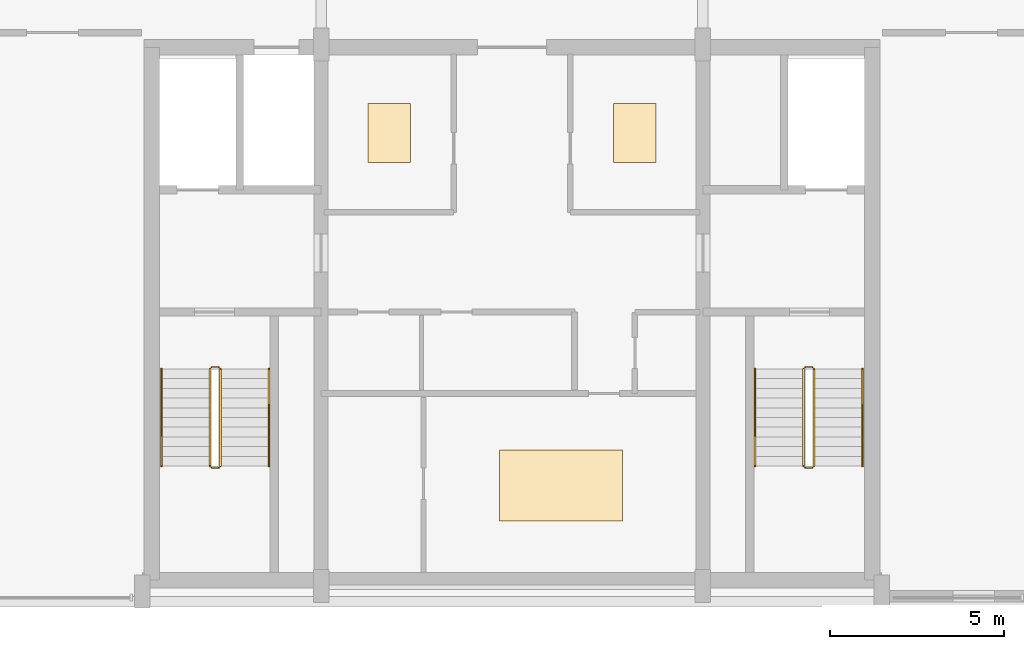
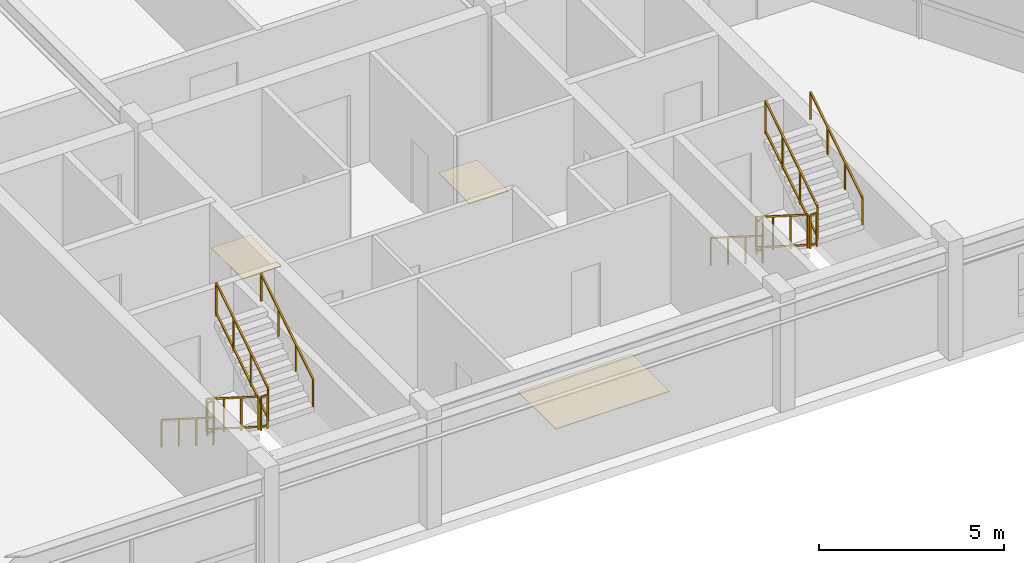
# One storey, part 12 of 12: 12 railings, 3 coverings.
"""IFC4 building model written with IfcOpenShell, lengths in metres."""

from ifc_helpers import new_model, si_unit, direction, frame, origin, origin_2d, place, context, subcontext, project, spatial, rectangle, extrude, source, transform, mapped, material, layer, layer_set, type_object, element, save


model = new_model("IFC4")

# Units and contexts
model_context = context("Model", 3, precision=1e-05, world=origin(), true_north=direction((0.0, 1.0)))
body_context = subcontext(model_context, "Body", "Model", "MODEL_VIEW")
ifc_project = project(units=[si_unit("LENGTHUNIT", "METRE"), si_unit("AREAUNIT", "SQUARE_METRE"), si_unit("VOLUMEUNIT", "CUBIC_METRE"), si_unit("PLANEANGLEUNIT", "RADIAN"), si_unit("MASSUNIT", "GRAM", prefix="KILO")], contexts=[model_context])

# Site, building, storey
site_placement = place(None, origin())
site = spatial("IfcSite", under=ifc_project, at=site_placement, CompositionType="ELEMENT")
building_placement = place(site_placement, origin())
building = spatial("IfcBuilding", under=site, at=building_placement, Name="Varnakhor Terracotta Tower", CompositionType="ELEMENT")
storey_placement = place(building_placement, frame((0.0, 0.0, 321.39990234375)))
storey = spatial("IfcBuildingStorey", under=building, at=storey_placement, Name="L84 Crown", CompositionType="ELEMENT", Elevation=321.39990234375)

# Railings
ifc_material_1 = material(Name="Painted Steel Stairwell Guardrail", Category="steel")
railing_type_1 = type_object("IfcRailingType", Name="RLG-STAIR-GUARD-1120", PredefinedType="GUARDRAIL", material=ifc_material_1)
railing_1_placement = place(storey_placement, frame((-8.699951171875, 6.7099609375, 0.177490234375)))
element("IfcRailing", 1, at=railing_1_placement, inside=storey, type_object=railing_type_1, Name="L84 Crown ST-1 stair guard 1", PredefinedType="GUARDRAIL", context=body_context, shape_type="SweptSolid", body=[
    extrude(rectangle(XDim=0.048095703125, YDim=0.048095703125, at=origin_2d()), frame((0.0, 0.0, 1.09619140625), z_axis=(0.0, -0.844908973607, 0.534910110503), x_axis=(1.0, 0.0, 0.0)), (0.0, 0.0, 1.0), 3.31396484375),
    extrude(rectangle(XDim=0.048095703125, YDim=0.048095703125, at=origin_2d()), frame((0.0, 0.0, 0.10009765625), z_axis=(0.0, -0.844908973607, 0.534910110503), x_axis=(1.0, 0.0, 0.0)), (0.0, 0.0, 1.0), 3.31396484375),
    extrude(rectangle(XDim=0.0419921875, YDim=0.0419921875, at=origin_2d()), origin(), (0.0, 0.0, 1.0), 1.072021484375),
    extrude(rectangle(XDim=0.0419921875, YDim=0.0419921875, at=origin_2d()), frame((0.0, -0.933349609375, 0.5908203125)), (0.0, 0.0, 1.0), 1.072021484375),
    extrude(rectangle(XDim=0.0419921875, YDim=0.0419921875, at=origin_2d()), frame((0.0, -1.86669921875, 1.181884765625)), (0.0, 0.0, 1.0), 1.072021484375),
    extrude(rectangle(XDim=0.0419921875, YDim=0.0419921875, at=origin_2d()), frame((0.0, -2.800048828125, 1.772705078125)), (0.0, 0.0, 1.0), 1.072021484375),
])
railing_2_placement = place(storey_placement, frame((-8.64990234375, 3.860107421875, 1.9501953125)))
element("IfcRailing", 2, at=railing_2_placement, inside=storey, type_object=railing_type_1, Name="L84 Crown ST-1 stair guard 2", PredefinedType="GUARDRAIL", context=body_context, shape_type="SweptSolid", body=[
    extrude(rectangle(XDim=0.048095703125, YDim=0.048095703125, at=origin_2d()), frame((0.0, 0.0, 1.09619140625), z_axis=(1.0, 0.0, 0.0), x_axis=(0.0, 1.0, 0.0)), (0.0, 0.0, 1.0), 0.199951171875),
    extrude(rectangle(XDim=0.048095703125, YDim=0.048095703125, at=origin_2d()), frame((0.0, 0.0, 0.10009765625), z_axis=(1.0, 0.0, 0.0), x_axis=(0.0, 1.0, 0.0)), (0.0, 0.0, 1.0), 0.199951171875),
    extrude(rectangle(XDim=0.0419921875, YDim=0.0419921875, at=origin_2d()), origin(), (0.0, 0.0, 1.0), 1.072021484375),
    extrude(rectangle(XDim=0.0419921875, YDim=0.0419921875, at=origin_2d()), frame((0.199951171875, 0.0, 0.0)), (0.0, 0.0, 1.0), 1.072021484375),
])
railing_3_placement = place(storey_placement, frame((-8.39990234375, 3.909912109375, 2.12744140625)))
element("IfcRailing", 3, at=railing_3_placement, inside=storey, type_object=railing_type_1, Name="L84 Crown ST-1 stair guard 3", PredefinedType="GUARDRAIL", context=body_context, shape_type="SweptSolid", body=[
    extrude(rectangle(XDim=0.048095703125, YDim=0.048095703125, at=origin_2d()), frame((0.0, 0.0, 1.09619140625), z_axis=(0.0, 0.844908973607, 0.534910110503), x_axis=(-1.0, 0.0, 0.0)), (0.0, 0.0, 1.0), 3.31396484375),
    extrude(rectangle(XDim=0.048095703125, YDim=0.048095703125, at=origin_2d()), frame((0.0, 0.0, 0.10009765625), z_axis=(0.0, 0.844908973607, 0.534910110503), x_axis=(-1.0, 0.0, 0.0)), (0.0, 0.0, 1.0), 3.31396484375),
    extrude(rectangle(XDim=0.0419921875, YDim=0.0419921875, at=origin_2d()), origin(), (0.0, 0.0, 1.0), 1.072021484375),
    extrude(rectangle(XDim=0.0419921875, YDim=0.0419921875, at=origin_2d()), frame((0.0, 0.933349609375, 0.5908203125)), (0.0, 0.0, 1.0), 1.072021484375),
    extrude(rectangle(XDim=0.0419921875, YDim=0.0419921875, at=origin_2d()), frame((0.0, 1.86669921875, 1.181884765625)), (0.0, 0.0, 1.0), 1.072021484375),
    extrude(rectangle(XDim=0.0419921875, YDim=0.0419921875, at=origin_2d()), frame((0.0, 2.800048828125, 1.772705078125)), (0.0, 0.0, 1.0), 1.072021484375),
])
railing_4_placement = place(storey_placement, frame((-8.64990234375, 6.760009765625, 0.0)))
element("IfcRailing", 4, at=railing_4_placement, inside=storey, type_object=railing_type_1, Name="L84 Crown ST-1 stair guard 4", PredefinedType="GUARDRAIL", context=body_context, shape_type="SweptSolid", body=[
    extrude(rectangle(XDim=0.048095703125, YDim=0.048095703125, at=origin_2d()), frame((0.0, 0.0, 1.09619140625), z_axis=(1.0, 0.0, 0.0), x_axis=(0.0, 1.0, 0.0)), (0.0, 0.0, 1.0), 0.199951171875),
    extrude(rectangle(XDim=0.048095703125, YDim=0.048095703125, at=origin_2d()), frame((0.0, 0.0, 0.10009765625), z_axis=(1.0, 0.0, 0.0), x_axis=(0.0, 1.0, 0.0)), (0.0, 0.0, 1.0), 0.199951171875),
    extrude(rectangle(XDim=0.0419921875, YDim=0.0419921875, at=origin_2d()), origin(), (0.0, 0.0, 1.0), 1.072021484375),
    extrude(rectangle(XDim=0.0419921875, YDim=0.0419921875, at=origin_2d()), frame((0.199951171875, 0.0, 0.0)), (0.0, 0.0, 1.0), 1.072021484375),
])
railing_5_placement = place(storey_placement, frame((8.39990234375, 6.7099609375, 0.177490234375)))
element("IfcRailing", 5, at=railing_5_placement, inside=storey, type_object=railing_type_1, Name="L84 Crown ST-2 stair guard 1", PredefinedType="GUARDRAIL", context=body_context, shape_type="SweptSolid", body=[
    extrude(rectangle(XDim=0.048095703125, YDim=0.048095703125, at=origin_2d()), frame((0.0, 0.0, 1.09619140625), z_axis=(0.0, -0.844908973607, 0.534910110503), x_axis=(1.0, 0.0, 0.0)), (0.0, 0.0, 1.0), 3.31396484375),
    extrude(rectangle(XDim=0.048095703125, YDim=0.048095703125, at=origin_2d()), frame((0.0, 0.0, 0.10009765625), z_axis=(0.0, -0.844908973607, 0.534910110503), x_axis=(1.0, 0.0, 0.0)), (0.0, 0.0, 1.0), 3.31396484375),
    extrude(rectangle(XDim=0.0419921875, YDim=0.0419921875, at=origin_2d()), origin(), (0.0, 0.0, 1.0), 1.072021484375),
    extrude(rectangle(XDim=0.0419921875, YDim=0.0419921875, at=origin_2d()), frame((0.0, -0.933349609375, 0.5908203125)), (0.0, 0.0, 1.0), 1.072021484375),
    extrude(rectangle(XDim=0.0419921875, YDim=0.0419921875, at=origin_2d()), frame((0.0, -1.86669921875, 1.181884765625)), (0.0, 0.0, 1.0), 1.072021484375),
    extrude(rectangle(XDim=0.0419921875, YDim=0.0419921875, at=origin_2d()), frame((0.0, -2.800048828125, 1.772705078125)), (0.0, 0.0, 1.0), 1.072021484375),
])
railing_6_placement = place(storey_placement, frame((8.449951171875, 3.860107421875, 1.9501953125)))
element("IfcRailing", 6, at=railing_6_placement, inside=storey, type_object=railing_type_1, Name="L84 Crown ST-2 stair guard 2", PredefinedType="GUARDRAIL", context=body_context, shape_type="SweptSolid", body=[
    extrude(rectangle(XDim=0.048095703125, YDim=0.048095703125, at=origin_2d()), frame((0.0, 0.0, 1.09619140625), z_axis=(1.0, 0.0, 0.0), x_axis=(0.0, 1.0, 0.0)), (0.0, 0.0, 1.0), 0.199951171875),
    extrude(rectangle(XDim=0.048095703125, YDim=0.048095703125, at=origin_2d()), frame((0.0, 0.0, 0.10009765625), z_axis=(1.0, 0.0, 0.0), x_axis=(0.0, 1.0, 0.0)), (0.0, 0.0, 1.0), 0.199951171875),
    extrude(rectangle(XDim=0.0419921875, YDim=0.0419921875, at=origin_2d()), origin(), (0.0, 0.0, 1.0), 1.072021484375),
    extrude(rectangle(XDim=0.0419921875, YDim=0.0419921875, at=origin_2d()), frame((0.199951171875, 0.0, 0.0)), (0.0, 0.0, 1.0), 1.072021484375),
])
railing_7_placement = place(storey_placement, frame((8.699951171875, 3.909912109375, 2.12744140625)))
element("IfcRailing", 7, at=railing_7_placement, inside=storey, type_object=railing_type_1, Name="L84 Crown ST-2 stair guard 3", PredefinedType="GUARDRAIL", context=body_context, shape_type="SweptSolid", body=[
    extrude(rectangle(XDim=0.048095703125, YDim=0.048095703125, at=origin_2d()), frame((0.0, 0.0, 1.09619140625), z_axis=(0.0, 0.844908973607, 0.534910110503), x_axis=(-1.0, 0.0, 0.0)), (0.0, 0.0, 1.0), 3.31396484375),
    extrude(rectangle(XDim=0.048095703125, YDim=0.048095703125, at=origin_2d()), frame((0.0, 0.0, 0.10009765625), z_axis=(0.0, 0.844908973607, 0.534910110503), x_axis=(-1.0, 0.0, 0.0)), (0.0, 0.0, 1.0), 3.31396484375),
    extrude(rectangle(XDim=0.0419921875, YDim=0.0419921875, at=origin_2d()), origin(), (0.0, 0.0, 1.0), 1.072021484375),
    extrude(rectangle(XDim=0.0419921875, YDim=0.0419921875, at=origin_2d()), frame((0.0, 0.933349609375, 0.5908203125)), (0.0, 0.0, 1.0), 1.072021484375),
    extrude(rectangle(XDim=0.0419921875, YDim=0.0419921875, at=origin_2d()), frame((0.0, 1.86669921875, 1.181884765625)), (0.0, 0.0, 1.0), 1.072021484375),
    extrude(rectangle(XDim=0.0419921875, YDim=0.0419921875, at=origin_2d()), frame((0.0, 2.800048828125, 1.772705078125)), (0.0, 0.0, 1.0), 1.072021484375),
])
railing_8_placement = place(storey_placement, frame((8.449951171875, 6.760009765625, 0.0)))
element("IfcRailing", 8, at=railing_8_placement, inside=storey, type_object=railing_type_1, Name="L84 Crown ST-2 stair guard 4", PredefinedType="GUARDRAIL", context=body_context, shape_type="SweptSolid", body=[
    extrude(rectangle(XDim=0.048095703125, YDim=0.048095703125, at=origin_2d()), frame((0.0, 0.0, 1.09619140625), z_axis=(1.0, 0.0, 0.0), x_axis=(0.0, 1.0, 0.0)), (0.0, 0.0, 1.0), 0.199951171875),
    extrude(rectangle(XDim=0.048095703125, YDim=0.048095703125, at=origin_2d()), frame((0.0, 0.0, 0.10009765625), z_axis=(1.0, 0.0, 0.0), x_axis=(0.0, 1.0, 0.0)), (0.0, 0.0, 1.0), 0.199951171875),
    extrude(rectangle(XDim=0.0419921875, YDim=0.0419921875, at=origin_2d()), origin(), (0.0, 0.0, 1.0), 1.072021484375),
    extrude(rectangle(XDim=0.0419921875, YDim=0.0419921875, at=origin_2d()), frame((0.199951171875, 0.0, 0.0)), (0.0, 0.0, 1.0), 1.072021484375),
])
ifc_material_2 = material(Name="Brushed Stainless Steel Handrail", Category="steel")
railing_type_2 = type_object("IfcRailingType", Name="RLG-STAIR-HANDRAIL-920", PredefinedType="HANDRAIL", material=ifc_material_2)
railing_9_placement = place(storey_placement, frame((-10.10009765625, 6.7099609375, 0.177490234375)))
element("IfcRailing", 9, at=railing_9_placement, inside=storey, type_object=railing_type_2, Name="L84 Crown ST-1 stair handrail 1", PredefinedType="HANDRAIL", context=body_context, shape_type="SweptSolid", body=[
    extrude(rectangle(XDim=0.048095703125, YDim=0.048095703125, at=origin_2d()), frame((0.0, 0.0, 0.89599609375), z_axis=(0.0, -0.844908973607, 0.534910110503), x_axis=(1.0, 0.0, 0.0)), (0.0, 0.0, 1.0), 3.31396484375),
    extrude(rectangle(XDim=0.0419921875, YDim=0.0419921875, at=origin_2d()), origin(), (0.0, 0.0, 1.0), 0.871826171875),
    extrude(rectangle(XDim=0.0419921875, YDim=0.0419921875, at=origin_2d()), frame((0.0, -0.933349609375, 0.5908203125)), (0.0, 0.0, 1.0), 0.871826171875),
    extrude(rectangle(XDim=0.0419921875, YDim=0.0419921875, at=origin_2d()), frame((0.0, -1.86669921875, 1.181884765625)), (0.0, 0.0, 1.0), 0.871826171875),
    extrude(rectangle(XDim=0.0419921875, YDim=0.0419921875, at=origin_2d()), frame((0.0, -2.800048828125, 1.772705078125)), (0.0, 0.0, 1.0), 0.871826171875),
])
railing_10_placement = place(storey_placement, frame((-7.0, 3.909912109375, 2.12744140625)))
element("IfcRailing", 10, at=railing_10_placement, inside=storey, type_object=railing_type_2, Name="L84 Crown ST-1 stair handrail 2", PredefinedType="HANDRAIL", context=body_context, shape_type="SweptSolid", body=[
    extrude(rectangle(XDim=0.048095703125, YDim=0.048095703125, at=origin_2d()), frame((0.0, 0.0, 0.89599609375), z_axis=(0.0, 0.844908973607, 0.534910110503), x_axis=(-1.0, 0.0, 0.0)), (0.0, 0.0, 1.0), 3.31396484375),
    extrude(rectangle(XDim=0.0419921875, YDim=0.0419921875, at=origin_2d()), origin(), (0.0, 0.0, 1.0), 0.871826171875),
    extrude(rectangle(XDim=0.0419921875, YDim=0.0419921875, at=origin_2d()), frame((0.0, 0.933349609375, 0.5908203125)), (0.0, 0.0, 1.0), 0.871826171875),
    extrude(rectangle(XDim=0.0419921875, YDim=0.0419921875, at=origin_2d()), frame((0.0, 1.86669921875, 1.181884765625)), (0.0, 0.0, 1.0), 0.871826171875),
    extrude(rectangle(XDim=0.0419921875, YDim=0.0419921875, at=origin_2d()), frame((0.0, 2.800048828125, 1.772705078125)), (0.0, 0.0, 1.0), 0.871826171875),
])
railing_11_placement = place(storey_placement, frame((7.0, 6.7099609375, 0.177490234375)))
element("IfcRailing", 11, at=railing_11_placement, inside=storey, type_object=railing_type_2, Name="L84 Crown ST-2 stair handrail 1", PredefinedType="HANDRAIL", context=body_context, shape_type="SweptSolid", body=[
    extrude(rectangle(XDim=0.048095703125, YDim=0.048095703125, at=origin_2d()), frame((0.0, 0.0, 0.89599609375), z_axis=(0.0, -0.844908973607, 0.534910110503), x_axis=(1.0, 0.0, 0.0)), (0.0, 0.0, 1.0), 3.31396484375),
    extrude(rectangle(XDim=0.0419921875, YDim=0.0419921875, at=origin_2d()), origin(), (0.0, 0.0, 1.0), 0.871826171875),
    extrude(rectangle(XDim=0.0419921875, YDim=0.0419921875, at=origin_2d()), frame((0.0, -0.933349609375, 0.5908203125)), (0.0, 0.0, 1.0), 0.871826171875),
    extrude(rectangle(XDim=0.0419921875, YDim=0.0419921875, at=origin_2d()), frame((0.0, -1.86669921875, 1.181884765625)), (0.0, 0.0, 1.0), 0.871826171875),
    extrude(rectangle(XDim=0.0419921875, YDim=0.0419921875, at=origin_2d()), frame((0.0, -2.800048828125, 1.772705078125)), (0.0, 0.0, 1.0), 0.871826171875),
])
railing_12_placement = place(storey_placement, frame((10.10009765625, 3.909912109375, 2.12744140625)))
element("IfcRailing", 12, at=railing_12_placement, inside=storey, type_object=railing_type_2, Name="L84 Crown ST-2 stair handrail 2", PredefinedType="HANDRAIL", context=body_context, shape_type="SweptSolid", body=[
    extrude(rectangle(XDim=0.048095703125, YDim=0.048095703125, at=origin_2d()), frame((0.0, 0.0, 0.89599609375), z_axis=(0.0, 0.844908973607, 0.534910110503), x_axis=(-1.0, 0.0, 0.0)), (0.0, 0.0, 1.0), 3.31396484375),
    extrude(rectangle(XDim=0.0419921875, YDim=0.0419921875, at=origin_2d()), origin(), (0.0, 0.0, 1.0), 0.871826171875),
    extrude(rectangle(XDim=0.0419921875, YDim=0.0419921875, at=origin_2d()), frame((0.0, 0.933349609375, 0.5908203125)), (0.0, 0.0, 1.0), 0.871826171875),
    extrude(rectangle(XDim=0.0419921875, YDim=0.0419921875, at=origin_2d()), frame((0.0, 1.86669921875, 1.181884765625)), (0.0, 0.0, 1.0), 0.871826171875),
    extrude(rectangle(XDim=0.0419921875, YDim=0.0419921875, at=origin_2d()), frame((0.0, 2.800048828125, 1.772705078125)), (0.0, 0.0, 1.0), 0.871826171875),
])

# Coverings
ifc_material_3 = material(Name="Insulated Elastomeric Waterproof Roofing Membrane", Category="other")
ifc_layer = layer(ifc_material_3, 0.034912109375, Name="Insulated Elastomeric Waterproof Roofing Membrane")
ifc_layer_set = layer_set([ifc_layer], Name="Insulated Elastomeric Waterproof Roofing Membrane")
covering_type = type_object("IfcCoveringType", Name="COV-ROOF-MEMBRANE", PredefinedType="ROOFING", material=ifc_layer_set)
shared_shape_1 = source(origin(), body_context, "Body", "SweptSolid", [
    extrude(rectangle(XDim=3.547119140625, YDim=2.041015625, at=origin_2d()), origin(), (0.0, 0.0, 1.0), 0.014892578125),
])
covering_placement = place(storey_placement, frame((1.4150390625, 3.35498046875, 0.0), z_axis=(0.0, 0.0, 1.0), x_axis=(1.0, 0.0, 0.0)))
element("IfcCovering", 13, at=covering_placement, inside=storey, type_object=covering_type, Name="L84 Crown Waterproof Plant Membrane 1", PredefinedType="ROOFING", context=body_context, shape_type="MappedRepresentation", body=[
    mapped(shared_shape_1, transform((0.0, 0.0, 0.0), scale=1.0)),
])
shared_shape_2 = source(origin(), body_context, "Body", "SweptSolid", [
    extrude(rectangle(XDim=1.215087890625, YDim=1.694091796875, at=origin_2d()), origin(), (0.0, 0.0, 1.0), 0.014892578125),
])
for number, where, z_axis, x_axis, name in (
    (14, (-3.534912109375, 13.510009765625, 0.0), (0.0, 0.0, 1.0), (1.0, 0.0, 0.0), "L84 Crown Waterproof Plant Membrane 2"),
    (15, (3.534912109375, 13.510009765625, 0.0), (0.0, 0.0, 1.0), (1.0, 0.0, 0.0), "L84 Crown Waterproof Plant Membrane 3"),
):
    element("IfcCovering", number, at=place(storey_placement, frame(where, z_axis=z_axis, x_axis=x_axis)), inside=storey, type_object=covering_type, Name=name, PredefinedType="ROOFING", context=body_context, shape_type="MappedRepresentation", body=[
        mapped(shared_shape_2, transform((0.0, 0.0, 0.0), scale=1.0)),
    ])

save(model, "model.ifc")
